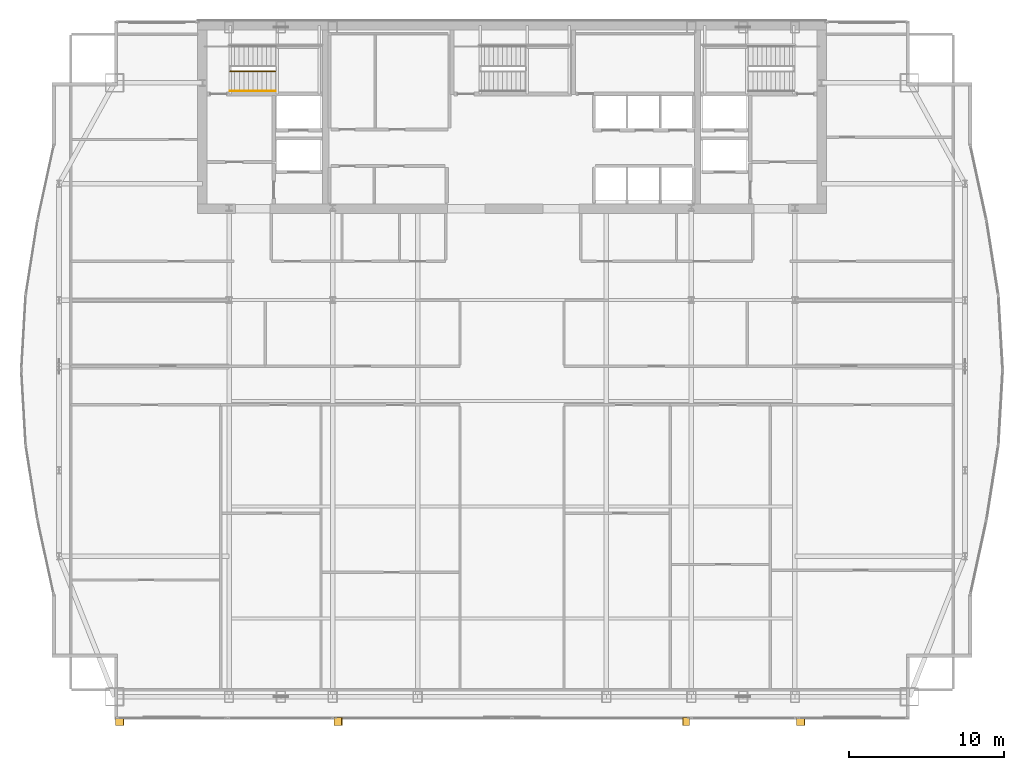
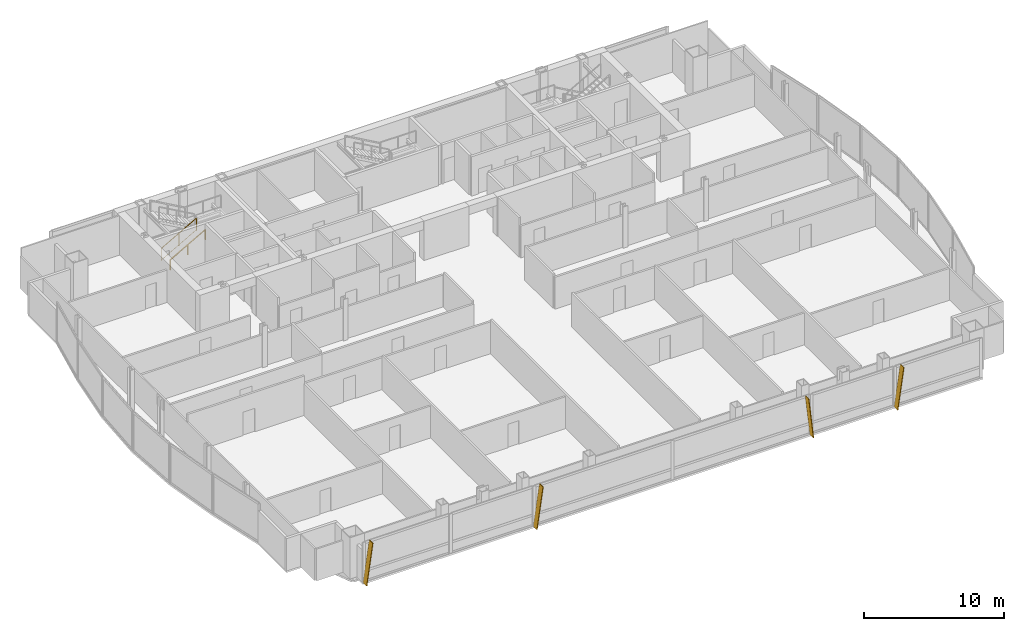
# One storey, part 29 of 30: 4 shading devices, 2 railings.
"""IFC4 building model written with IfcOpenShell, lengths in metres."""

from ifc_helpers import new_model, si_unit, direction, frame, origin, origin_2d, place, context, subcontext, project, spatial, polyline, rectangle, outline, extrude, material, layer, layer_set, type_object, element, save


model = new_model("IFC4")

# Units and contexts
model_context = context("Model", 3, precision=1e-05, world=origin(), true_north=direction((0.0, 1.0)))
body_context = subcontext(model_context, "Body", "Model", "MODEL_VIEW")
ifc_project = project(units=[si_unit("LENGTHUNIT", "METRE"), si_unit("AREAUNIT", "SQUARE_METRE"), si_unit("VOLUMEUNIT", "CUBIC_METRE"), si_unit("PLANEANGLEUNIT", "RADIAN"), si_unit("MASSUNIT", "GRAM", prefix="KILO")], contexts=[model_context])

# Site, building, storey
site_placement = place(None, origin())
site = spatial("IfcSite", under=ifc_project, at=site_placement, CompositionType="ELEMENT")
building_placement = place(site_placement, origin())
building = spatial("IfcBuilding", under=site, at=building_placement, Name="Khoronbel Lancet Exchange", CompositionType="ELEMENT")
storey_placement = place(building_placement, frame((0.0, 0.0, 217.39990234375)))
storey = spatial("IfcBuildingStorey", under=building, at=storey_placement, Name="L55", CompositionType="ELEMENT", Elevation=217.39990234375)

# Railings
ifc_material_1 = material(Name="Painted Steel Balustrade", Category="steel")
railing_type_1 = type_object("IfcRailingType", Name="RL-STG110", PredefinedType="GUARDRAIL", material=ifc_material_1)
railing_1_placement = place(storey_placement, frame((18.300048828125, 50.449951171875, 0.163818359375)))
element("IfcRailing", 1, at=railing_1_placement, inside=storey, type_object=railing_type_1, Name="L55 ST1 stair guard 1", PredefinedType="GUARDRAIL", context=body_context, shape_type="SweptSolid", body=[
    extrude(rectangle(XDim=0.048095703125, YDim=0.048095703125, at=origin_2d()), frame((0.0, 0.0, 1.09619140625), z_axis=(0.870928581787, 0.0, 0.491409610636), x_axis=(0.0, 1.0, 0.0)), (0.0, 0.0, 1.0), 3.32958984375),
    extrude(rectangle(XDim=0.02392578125, YDim=0.02392578125, at=origin_2d()), frame((0.0, 0.0, 0.080078125), z_axis=(0.870928581787, 0.0, 0.491409610636), x_axis=(0.0, 1.0, 0.0)), (0.0, 0.0, 1.0), 3.32958984375),
    extrude(rectangle(XDim=0.0419921875, YDim=0.0419921875, at=origin_2d()), origin(), (0.0, 0.0, 1.0), 1.072021484375),
    extrude(rectangle(XDim=0.0419921875, YDim=0.0419921875, at=origin_2d()), frame((1.449951171875, 0.0, 0.818115234375)), (0.0, 0.0, 1.0), 1.072021484375),
    extrude(rectangle(XDim=0.0419921875, YDim=0.0419921875, at=origin_2d()), frame((2.89990234375, 0.0, 1.63623046875)), (0.0, 0.0, 1.0), 1.072021484375),
])
ifc_material_2 = material(Name="Brushed Stainless Steel 316", Category="steel")
railing_type_2 = type_object("IfcRailingType", Name="RL-STH92", PredefinedType="HANDRAIL", material=ifc_material_2)
railing_2_placement = place(storey_placement, frame((18.300048828125, 49.169921875, 0.163818359375)))
element("IfcRailing", 2, at=railing_2_placement, inside=storey, type_object=railing_type_2, Name="L55 ST1 stair handrail 1", PredefinedType="HANDRAIL", context=body_context, shape_type="SweptSolid", body=[
    extrude(rectangle(XDim=0.048095703125, YDim=0.048095703125, at=origin_2d()), frame((0.0, 0.0, 0.8759765625), z_axis=(0.870928581787, 0.0, 0.491409610636), x_axis=(0.0, 1.0, 0.0)), (0.0, 0.0, 1.0), 3.32958984375),
    extrude(rectangle(XDim=0.0419921875, YDim=0.0419921875, at=origin_2d()), origin(), (0.0, 0.0, 1.0), 0.851806640625),
    extrude(rectangle(XDim=0.0419921875, YDim=0.0419921875, at=origin_2d()), frame((1.449951171875, 0.0, 0.818115234375)), (0.0, 0.0, 1.0), 0.851806640625),
    extrude(rectangle(XDim=0.0419921875, YDim=0.0419921875, at=origin_2d()), frame((2.89990234375, 0.0, 1.63623046875)), (0.0, 0.0, 1.0), 0.851806640625),
])

# Shading devices
ifc_material_3 = material(Name="Bronze-Anodised Aluminium 6063-T6", Category="aluminium")
ifc_layer = layer(ifc_material_3, 0.054931640625, Name="Bronze-Anodised Aluminium 6063-T6")
ifc_layer_set = layer_set([ifc_layer], Name="Bronze-Anodised Aluminium 6063-T6")
shading_device_type = type_object("IfcShadingDeviceType", Name="SHD-FIN1", PredefinedType="USERDEFINED", material=ifc_layer_set)
for number, where, z_axis, x_axis, name in (
    (3, (10.91259765625, 8.81005859375, -0.079833984375), (-0.990091586433, 0.0, 0.14042311232), (0.0, -1.0, 0.0), "Slanted bronze solar fin CW-L55-SWV-0"),
    (4, (24.972412109375, 8.81005859375, -0.079833984375), (-0.990082143633, 0.0, 0.140489675274), (0.0, -1.0, 0.0), "Slanted bronze solar fin CW-L55-SCV-0"),
):
    element("IfcShadingDevice", number, at=place(storey_placement, frame(where, z_axis=z_axis, x_axis=x_axis)), inside=storey, type_object=shading_device_type, Name=name, ObjectType="FIN", PredefinedType="USERDEFINED", context=body_context, shape_type="SweptSolid", body=[
        extrude(outline(polyline([(0.0, 0.0), (0.52001953125, 0.0), (0.52001953125, 3.595458984375), (0.0, 3.595458984375), (0.0, 0.0)])), origin(), (0.0, 0.0, -1.0), 0.054931640625),
    ])
shading_device_1_placement = place(storey_placement, frame((47.87255859375, 8.81005859375, -0.079833984375), z_axis=(0.99389951861, 0.0, 0.110289378034), x_axis=(0.0, -1.0, 0.0)))
element("IfcShadingDevice", 5, at=shading_device_1_placement, inside=storey, type_object=shading_device_type, Name="Slanted bronze solar fin CW-L55-SCV-2", ObjectType="FIN", PredefinedType="USERDEFINED", context=body_context, shape_type="SweptSolid", body=[
    extrude(outline(polyline([(0.0, 0.0), (0.52001953125, 0.0), (0.52001953125, -3.58154296875), (0.0, -3.58154296875), (0.0, 0.0)])), origin(), (0.0, 0.0, -1.0), 0.054931640625),
])
shading_device_2_placement = place(storey_placement, frame((54.7724609375, 8.81005859375, -0.079833984375), z_axis=(-0.990082143633, 0.0, 0.140489675274), x_axis=(0.0, -1.0, 0.0)))
element("IfcShadingDevice", 6, at=shading_device_2_placement, inside=storey, type_object=shading_device_type, Name="Slanted bronze solar fin CW-L55-SEV-0", ObjectType="FIN", PredefinedType="USERDEFINED", context=body_context, shape_type="SweptSolid", body=[
    extrude(outline(polyline([(0.0, 0.0), (0.52001953125, 0.0), (0.52001953125, 3.595458984375), (0.0, 3.595458984375), (0.0, 0.0)])), origin(), (0.0, 0.0, -1.0), 0.054931640625),
])

save(model, "model.ifc")
